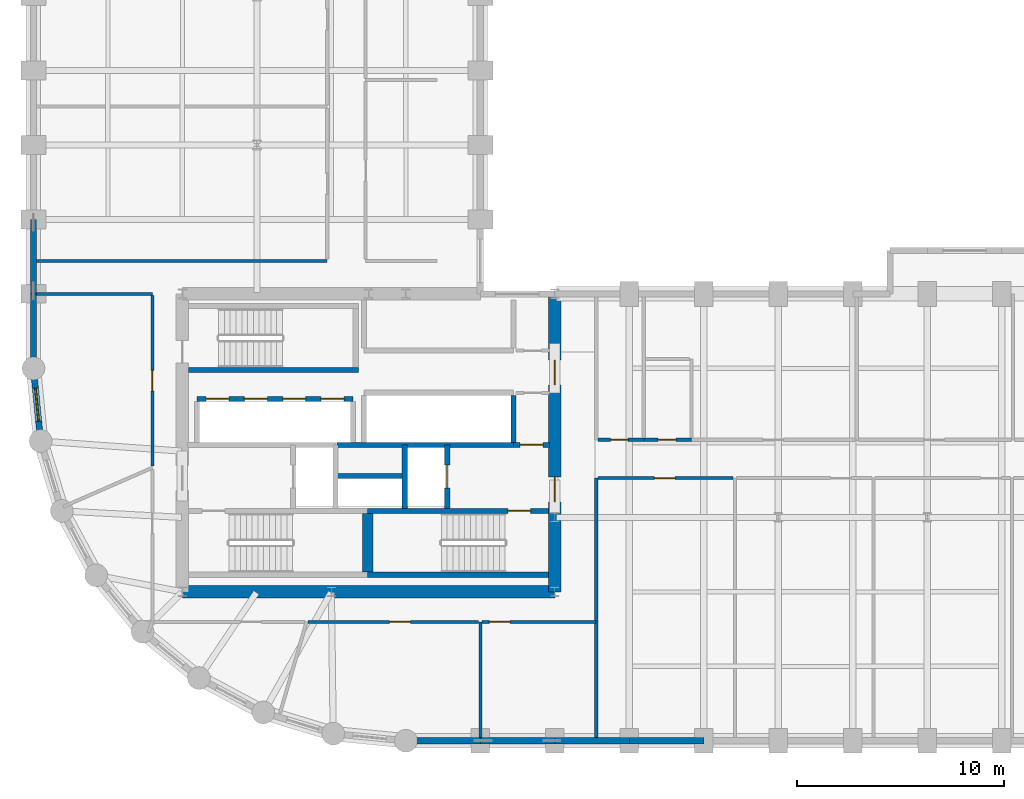
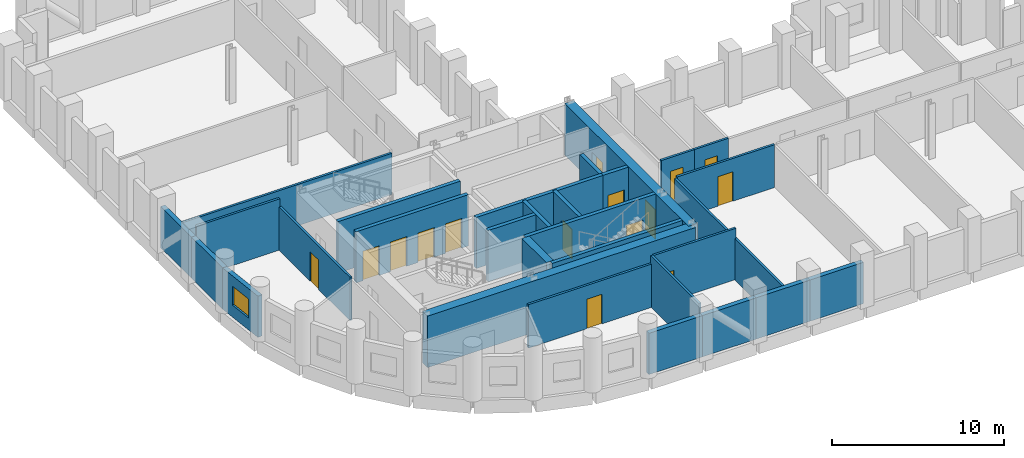
# One storey, part 4 of 8: 30 walls, 15 doors, 1 window, 16 openings.
"""IFC4 building model written with IfcOpenShell, lengths in metres."""

from ifc_helpers import new_model, si_unit, direction, frame, frame_2d, origin, place, context, subcontext, project, spatial, rectangle, extrude, material, layer, layer_set, type_object, element, fill, save


model = new_model("IFC4")

# Units and contexts
model_context = context("Model", 3, precision=1e-05, world=origin(), true_north=direction((0.0, 1.0)))
body_context = subcontext(model_context, "Body", "Model", "MODEL_VIEW")
ifc_project = project(units=[si_unit("LENGTHUNIT", "METRE"), si_unit("AREAUNIT", "SQUARE_METRE"), si_unit("VOLUMEUNIT", "CUBIC_METRE"), si_unit("PLANEANGLEUNIT", "RADIAN"), si_unit("MASSUNIT", "GRAM", prefix="KILO")], contexts=[model_context])

# Site, building, storey
site_placement = place(None, origin())
site = spatial("IfcSite", under=ifc_project, at=site_placement, CompositionType="ELEMENT")
building_placement = place(site_placement, origin())
building = spatial("IfcBuilding", under=site, at=building_placement, Name="Solnavia Interchange Tower", CompositionType="ELEMENT")
storey_placement = place(building_placement, frame((0.0, 0.0, 35.699951171875)))
storey = spatial("IfcBuildingStorey", under=building, at=storey_placement, Name="L08", CompositionType="ELEMENT", Elevation=35.699951171875)

# Walls
ifc_material_1 = material(Name="Concrete C40/50", Category="concrete")
ifc_layer_1 = layer(ifc_material_1, 0.300048828125)
ifc_layer_set_1 = layer_set([ifc_layer_1], Name="Concrete C40/50")
wall_type_1 = type_object("IfcWallType", Name="Wall-ExtSpandrel-300", PredefinedType="STANDARD", material=ifc_layer_set_1)
wall_1_placement = place(storey_placement, frame((28.800048828125, 3.60009765625, 0.0), z_axis=(0.0, 0.0, 1.0), x_axis=(-1.0, 0.0, 0.0)))
element("IfcWall", 1, at=wall_1_placement, inside=storey, type_object=wall_type_1, Name="EXW-L08-01 Exterior precast spandrel wall", PredefinedType="STANDARD", context=body_context, shape_type="SweptSolid", body=[
    extrude(rectangle(XDim=3.60009765625, YDim=0.300048828125, at=frame_2d((1.800048828125, 0.0))), origin(), (0.0, 0.0, 1.0), 2.929931640625),
])
wall_2_placement = place(storey_placement, frame((32.39990234375, 3.60009765625, 0.0), z_axis=(0.0, 0.0, 1.0), x_axis=(-1.0, 0.0, 0.0)))
element("IfcWall", 2, at=wall_2_placement, inside=storey, type_object=wall_type_1, Name="EXW-L08-02 Exterior precast spandrel wall", PredefinedType="STANDARD", context=body_context, shape_type="SweptSolid", body=[
    extrude(rectangle(XDim=3.599853515625, YDim=0.300048828125, at=frame_2d((1.7998046875, 0.0))), origin(), (0.0, 0.0, 1.0), 2.929931640625),
])
for number, where, z_axis, x_axis, name in (
    (3, (36.0, 3.60009765625, 0.0), (0.0, 0.0, 1.0), (-1.0, 0.0, 0.0), "EXW-L08-03 Exterior precast spandrel wall"),
    (4, (39.60009765625, 3.60009765625, 0.0), (0.0, 0.0, 1.0), (-1.0, 0.0, 0.0), "EXW-L08-04 Exterior precast spandrel wall"),
    (5, (7.199951171875, 25.199951171875, 0.0), (0.0, 0.0, 1.0), (0.0, 1.0, 0.0), "EXW-L08-57 Exterior precast spandrel wall"),
):
    element("IfcWall", number, at=place(storey_placement, frame(where, z_axis=z_axis, x_axis=x_axis)), inside=storey, type_object=wall_type_1, Name=name, PredefinedType="STANDARD", context=body_context, shape_type="SweptSolid", body=[
        extrude(rectangle(XDim=3.60009765625, YDim=0.300048828125, at=frame_2d((1.800048828125, 0.0))), origin(), (0.0, 0.0, 1.0), 2.929931640625),
    ])
wall_3_placement = place(storey_placement, frame((7.199951171875, 21.60009765625, 0.0), z_axis=(0.0, 0.0, 1.0), x_axis=(0.0, 1.0, 0.0)))
element("IfcWall", 6, at=wall_3_placement, inside=storey, type_object=wall_type_1, Name="EXW-L08-58 Exterior precast spandrel wall", PredefinedType="STANDARD", context=body_context, shape_type="SweptSolid", body=[
    extrude(rectangle(XDim=3.599853515625, YDim=0.300048828125, at=frame_2d((1.7998046875, 0.0))), origin(), (0.0, 0.0, 1.0), 2.929931640625),
])

# Wall, opening, window
wall_4_placement = place(storey_placement, frame((7.5458984375, 18.087890625, 0.0), z_axis=(0.0, 0.0, 1.0), x_axis=(-0.09802417461, 0.995184033831, 0.0)))
wall_4 = element("IfcWall", 7, at=wall_4_placement, inside=storey, type_object=wall_type_1, Name="EXW-L08-59 Exterior precast spandrel wall", PredefinedType="STANDARD", context=body_context, shape_type="SweptSolid", body=[
    extrude(rectangle(XDim=3.529296875, YDim=0.300048828125, at=frame_2d((1.7646484375, 0.0))), origin(), (0.0, 0.0, 1.0), 2.929931640625),
])
opening_1_placement = place(wall_4_placement, frame((0.965087890625, 0.0, 0.85009765625)))
opening_1 = element("IfcOpeningElement", 8, at=opening_1_placement, cuts=wall_4, Name="Opening WIN-04", PredefinedType="OPENING", context=body_context, shape_type="SweptSolid", body=[
    extrude(rectangle(XDim=1.60009765625, YDim=1.35009765625, at=frame_2d((0.800048828125, 0.675048828125))), frame((0.0, 0.16015625, 0.0), z_axis=(0.0, -1.0, 0.0), x_axis=(1.0, 0.0, 0.0)), (0.0, 0.0, 1.0), 0.320068359375),
])
ifc_material_2 = material(Name="Thermal-Break Aluminium & Low-E Glass", Category="aluminium")
window_type = type_object("IfcWindowType", Name="Window-Drum-1600x1350", PartitioningType="SINGLE_PANEL", PredefinedType="WINDOW", material=ifc_material_2)
window_placement = place(opening_1_placement, origin())
window = element("IfcWindow", 9, at=window_placement, inside=storey, type_object=window_type, Name="WIN-L08-59 Facade ribbon window", OverallHeight=1.35009765625, OverallWidth=1.60009765625, PartitioningType="SINGLE_PANEL", PredefinedType="WINDOW", context=body_context, shape_type="SweptSolid", body=[
    extrude(rectangle(XDim=1.60009765625, YDim=1.35009765625, at=frame_2d((0.800048828125, 0.675048828125))), frame((0.0, 0.030029296875, 0.0), z_axis=(0.0, -1.0, 0.0), x_axis=(1.0, 0.0, 0.0)), (0.0, 0.0, 1.0), 0.06005859375),
])
fill(opening_1, window)

# Walls
ifc_material_3 = material(Name="Gypsum Plasterboard & Steel Stud", Category="steel")
ifc_layer_2 = layer(ifc_material_3, 0.14990234375)
ifc_layer_set_2 = layer_set([ifc_layer_2], Name="Gypsum Plasterboard & Steel Stud")
wall_type_2 = type_object("IfcWallType", Name="Wall-Partition-150", PredefinedType="PARTITIONING", material=ifc_layer_set_2)
wall_5_placement = place(storey_placement, frame((7.35400390625, 25.199951171875, 0.0), z_axis=(0.0, 0.0, 1.0), x_axis=(1.0, 0.0, 0.0)))
element("IfcWall", 10, at=wall_5_placement, inside=storey, type_object=wall_type_2, Name="PTW-L08-07 Interior partition wall", PredefinedType="PARTITIONING", context=body_context, shape_type="SweptSolid", body=[
    extrude(rectangle(XDim=5.595947265625, YDim=0.14990234375, at=frame_2d((2.7978515625, 0.0))), origin(), (0.0, 0.0, 1.0), 3.635009765625),
])
wall_6_placement = place(storey_placement, frame((28.800048828125, 9.35009765625, 0.0), z_axis=(0.0, 0.0, 1.0), x_axis=(0.0, -1.0, 0.0)))
element("IfcWall", 11, at=wall_6_placement, inside=storey, type_object=wall_type_2, Name="PTW-L08-08 Interior partition wall", PredefinedType="PARTITIONING", context=body_context, shape_type="SweptSolid", body=[
    extrude(rectangle(XDim=5.59619140625, YDim=0.14990234375, at=frame_2d((2.798095703125, 0.0))), origin(), (0.0, 0.0, 1.0), 3.635009765625),
])

# Wall, opening, door
wall_7_placement = place(storey_placement, frame((12.949951171875, 16.87890625, 0.0), z_axis=(0.0, 0.0, 1.0), x_axis=(0.0, 1.0, 0.0)))
wall_7 = element("IfcWall", 12, at=wall_7_placement, inside=storey, type_object=wall_type_2, Name="PTW-L08-12 Interior partition wall", PredefinedType="PARTITIONING", context=body_context, shape_type="SweptSolid", body=[
    extrude(rectangle(XDim=8.2421875, YDim=0.14990234375, at=frame_2d((4.12109375, 0.0))), origin(), (0.0, 0.0, 1.0), 3.080078125),
])
opening_2_placement = place(wall_7_placement, frame((3.62109375, 0.0, 0.0)))
opening_2 = element("IfcOpeningElement", 13, at=opening_2_placement, cuts=wall_7, Name="Opening DR-07", PredefinedType="OPENING", context=body_context, shape_type="SweptSolid", body=[
    extrude(rectangle(XDim=1.0, YDim=2.10009765625, at=frame_2d((0.5, 1.050048828125))), frame((0.0, 0.0849609375, 0.0), z_axis=(0.0, -1.0, 0.0), x_axis=(1.0, 0.0, 0.0)), (0.0, 0.0, 1.0), 0.169921875),
])
ifc_material_4 = material(Name="Timber & Acoustic Glazed Office Door", Category="wood")
door_type_1 = type_object("IfcDoorType", Name="Door-Office-1000x2100", OperationType="SINGLE_SWING_RIGHT", PredefinedType="DOOR", material=ifc_material_4)
door_1_placement = place(opening_2_placement, origin())
door_1 = element("IfcDoor", 14, at=door_1_placement, inside=storey, type_object=door_type_1, Name="DR-L08-03 Interior room door", OperationType="SINGLE_SWING_LEFT", OverallHeight=2.10009765625, OverallWidth=1.0, PredefinedType="DOOR", context=body_context, shape_type="SweptSolid", body=[
    extrude(rectangle(XDim=1.0, YDim=2.10009765625, at=frame_2d((0.5, 1.050048828125))), frame((0.0, 0.02490234375, 0.0), z_axis=(0.0, -1.0, 0.0), x_axis=(1.0, 0.0, 0.0)), (0.0, 0.0, 1.0), 0.050048828125),
])
fill(opening_2, door_1)

wall_8_placement = place(storey_placement, frame((20.47900390625, 9.35009765625, 0.0), z_axis=(0.0, 0.0, 1.0), x_axis=(1.0, 0.0, 0.0)))
wall_8 = element("IfcWall", 15, at=wall_8_placement, inside=storey, type_object=wall_type_2, Name="PTW-L08-15 Interior partition wall", PredefinedType="PARTITIONING", context=body_context, shape_type="SweptSolid", body=[
    extrude(rectangle(XDim=8.241943359375, YDim=0.14990234375, at=frame_2d((4.12109375, 0.0))), origin(), (0.0, 0.0, 1.0), 3.080078125),
])
opening_3_placement = place(wall_8_placement, frame((3.93896484375, 0.0, 0.0)))
opening_3 = element("IfcOpeningElement", 16, at=opening_3_placement, cuts=wall_8, Name="Opening DR-07", PredefinedType="OPENING", context=body_context, shape_type="SweptSolid", body=[
    extrude(rectangle(XDim=1.0, YDim=2.10009765625, at=frame_2d((0.5, 1.050048828125))), frame((0.0, 0.0849609375, 0.0), z_axis=(0.0, -1.0, 0.0), x_axis=(1.0, 0.0, 0.0)), (0.0, 0.0, 1.0), 0.169921875),
])
door_2_placement = place(opening_3_placement, origin())
door_2 = element("IfcDoor", 17, at=door_2_placement, inside=storey, type_object=door_type_1, Name="DR-L08-06 Interior room door", OperationType="SINGLE_SWING_RIGHT", OverallHeight=2.10009765625, OverallWidth=1.0, PredefinedType="DOOR", context=body_context, shape_type="SweptSolid", body=[
    extrude(rectangle(XDim=1.0, YDim=2.10009765625, at=frame_2d((0.5, 1.050048828125))), frame((0.0, 0.02490234375, 0.0), z_axis=(0.0, -1.0, 0.0), x_axis=(1.0, 0.0, 0.0)), (0.0, 0.0, 1.0), 0.050048828125),
])
fill(opening_3, door_2)

wall_9_placement = place(storey_placement, frame((28.87890625, 9.35009765625, 0.0), z_axis=(0.0, 0.0, 1.0), x_axis=(1.0, 0.0, 0.0)))
wall_9 = element("IfcWall", 18, at=wall_9_placement, inside=storey, type_object=wall_type_2, Name="PTW-L08-16 Interior partition wall", PredefinedType="PARTITIONING", context=body_context, shape_type="SweptSolid", body=[
    extrude(rectangle(XDim=5.52099609375, YDim=0.14990234375, at=frame_2d((2.760498046875, 0.0))), origin(), (0.0, 0.0, 1.0), 3.635009765625),
])
opening_4_placement = place(wall_9_placement, frame((0.360107421875, 0.0, 0.0)))
opening_4 = element("IfcOpeningElement", 19, at=opening_4_placement, cuts=wall_9, Name="Opening DR-07", PredefinedType="OPENING", context=body_context, shape_type="SweptSolid", body=[
    extrude(rectangle(XDim=1.0, YDim=2.10009765625, at=frame_2d((0.5, 1.050048828125))), frame((0.0, 0.0849609375, 0.0), z_axis=(0.0, -1.0, 0.0), x_axis=(1.0, 0.0, 0.0)), (0.0, 0.0, 1.0), 0.169921875),
])
door_3_placement = place(opening_4_placement, origin())
door_3 = element("IfcDoor", 20, at=door_3_placement, inside=storey, type_object=door_type_1, Name="DR-L08-07 Interior room door", OperationType="SINGLE_SWING_LEFT", OverallHeight=2.10009765625, OverallWidth=1.0, PredefinedType="DOOR", context=body_context, shape_type="SweptSolid", body=[
    extrude(rectangle(XDim=1.0, YDim=2.10009765625, at=frame_2d((0.5, 1.050048828125))), frame((0.0, 0.02490234375, 0.0), z_axis=(0.0, -1.0, 0.0), x_axis=(1.0, 0.0, 0.0)), (0.0, 0.0, 1.0), 0.050048828125),
])
fill(opening_4, door_3)

# Wall
wall_10_placement = place(storey_placement, frame((34.39990234375, 3.75390625, 0.0), z_axis=(0.0, 0.0, 1.0), x_axis=(0.0, 1.0, 0.0)))
element("IfcWall", 21, at=wall_10_placement, inside=storey, type_object=wall_type_2, Name="PTW-L08-17 Interior partition wall", PredefinedType="PARTITIONING", context=body_context, shape_type="SweptSolid", body=[
    extrude(rectangle(XDim=12.546142578125, YDim=0.14990234375, at=frame_2d((6.27294921875, 0.0))), origin(), (0.0, 0.0, 1.0), 2.929931640625),
])

# Wall, opening, door
wall_11_placement = place(storey_placement, frame((34.47900390625, 16.300048828125, 0.0), z_axis=(0.0, 0.0, 1.0), x_axis=(1.0, 0.0, 0.0)))
wall_11 = element("IfcWall", 22, at=wall_11_placement, inside=storey, type_object=wall_type_2, Name="PTW-L08-19 Interior partition wall", PredefinedType="PARTITIONING", context=body_context, shape_type="SweptSolid", body=[
    extrude(rectangle(XDim=6.5419921875, YDim=0.14990234375, at=frame_2d((3.27099609375, 0.0))), origin(), (0.0, 0.0, 1.0), 3.0400390625),
])
opening_5_placement = place(wall_11_placement, frame((2.73095703125, 0.0, 0.0)))
opening_5 = element("IfcOpeningElement", 23, at=opening_5_placement, cuts=wall_11, Name="Opening DR-07", PredefinedType="OPENING", context=body_context, shape_type="SweptSolid", body=[
    extrude(rectangle(XDim=1.0, YDim=2.10009765625, at=frame_2d((0.5, 1.050048828125))), frame((0.0, 0.0849609375, 0.0), z_axis=(0.0, -1.0, 0.0), x_axis=(1.0, 0.0, 0.0)), (0.0, 0.0, 1.0), 0.169921875),
])
door_4_placement = place(opening_5_placement, origin())
door_4 = element("IfcDoor", 24, at=door_4_placement, inside=storey, type_object=door_type_1, Name="DR-L08-08 Interior room door", OperationType="SINGLE_SWING_LEFT", OverallHeight=2.10009765625, OverallWidth=1.0, PredefinedType="DOOR", context=body_context, shape_type="SweptSolid", body=[
    extrude(rectangle(XDim=1.0, YDim=2.10009765625, at=frame_2d((0.5, 1.050048828125))), frame((0.0, 0.02490234375, 0.0), z_axis=(0.0, -1.0, 0.0), x_axis=(1.0, 0.0, 0.0)), (0.0, 0.0, 1.0), 0.050048828125),
])
fill(opening_5, door_4)

# Walls
wall_12_placement = place(storey_placement, frame((7.35400390625, 26.800048828125, 0.0), z_axis=(0.0, 0.0, 1.0), x_axis=(1.0, 0.0, 0.0)))
element("IfcWall", 25, at=wall_12_placement, inside=storey, type_object=wall_type_2, Name="PTW-L08-30 Interior partition wall", PredefinedType="PARTITIONING", context=body_context, shape_type="SweptSolid", body=[
    extrude(rectangle(XDim=14.0458984375, YDim=0.14990234375, at=frame_2d((7.02294921875, 0.0))), origin(), (0.0, 0.0, 1.0), 2.929931640625),
])
ifc_layer_3 = layer(ifc_material_1, 0.25)
ifc_layer_set_3 = layer_set([ifc_layer_3], Name="Concrete C40/50")
wall_type_3 = type_object("IfcWallType", Name="Wall-ShaftCore-250", PredefinedType="SHEAR", material=ifc_layer_set_3)
wall_13_placement = place(storey_placement, frame((23.35009765625, 11.625, 0.0), z_axis=(0.0, 0.0, 1.0), x_axis=(1.0, 0.0, 0.0)))
element("IfcWall", 26, at=wall_13_placement, inside=storey, type_object=wall_type_3, Name="SHW-L08-ST2S Core shear wall", PredefinedType="SHEAR", context=body_context, shape_type="SweptSolid", body=[
    extrude(rectangle(XDim=8.75, YDim=0.25, at=frame_2d((4.375, 0.0))), origin(), (0.0, 0.0, 1.0), 3.650146484375),
])

# Wall, opening, door
wall_14_placement = place(storey_placement, frame((23.35009765625, 14.715087890625, 0.0), z_axis=(0.0, 0.0, 1.0), x_axis=(1.0, 0.0, 0.0)))
wall_14 = element("IfcWall", 27, at=wall_14_placement, inside=storey, type_object=wall_type_3, Name="SHW-L08-ST2N Core shear wall", PredefinedType="SHEAR", context=body_context, shape_type="SweptSolid", body=[
    extrude(rectangle(XDim=8.75, YDim=0.25, at=frame_2d((4.375, 0.0))), origin(), (0.0, 0.0, 1.0), 3.650146484375),
])
opening_6_placement = place(wall_14_placement, frame((6.77490234375, 0.0, 0.0)))
opening_6 = element("IfcOpeningElement", 28, at=opening_6_placement, cuts=wall_14, Name="Opening DR-01", PredefinedType="OPENING", context=body_context, shape_type="SweptSolid", body=[
    extrude(rectangle(XDim=1.10009765625, YDim=2.10009765625, at=frame_2d((0.550048828125, 1.050048828125))), frame((0.0, 0.135009765625, 0.0), z_axis=(0.0, -1.0, 0.0), x_axis=(1.0, 0.0, 0.0)), (0.0, 0.0, 1.0), 0.27001953125),
])
ifc_material_5 = material(Name="Steel Fire-Rated Leaf & Frame", Category="steel")
door_type_2 = type_object("IfcDoorType", Name="Door-StairFire-1100x2100", OperationType="SINGLE_SWING_LEFT", PredefinedType="DOOR", material=ifc_material_5)
door_5_placement = place(opening_6_placement, origin())
door_5 = element("IfcDoor", 29, at=door_5_placement, inside=storey, type_object=door_type_2, Name="DR-L08-ST2 Core fire door", OperationType="SINGLE_SWING_LEFT", OverallHeight=2.10009765625, OverallWidth=1.10009765625, PredefinedType="DOOR", context=body_context, shape_type="SweptSolid", body=[
    extrude(rectangle(XDim=1.10009765625, YDim=2.10009765625, at=frame_2d((0.550048828125, 1.050048828125))), frame((0.0, 0.02490234375, 0.0), z_axis=(0.0, -1.0, 0.0), x_axis=(1.0, 0.0, 0.0)), (0.0, 0.0, 1.0), 0.050048828125),
])
fill(opening_6, door_5)

# Walls
wall_15_placement = place(storey_placement, frame((14.699951171875, 21.52490234375, 0.0), z_axis=(0.0, 0.0, 1.0), x_axis=(1.0, 0.0, 0.0)))
element("IfcWall", 30, at=wall_15_placement, inside=storey, type_object=wall_type_3, Name="SHW-L08-ST3S Core shear wall", PredefinedType="SHEAR", context=body_context, shape_type="SweptSolid", body=[
    extrude(rectangle(XDim=8.199951171875, YDim=0.25, at=frame_2d((4.10009765625, 0.0))), origin(), (0.0, 0.0, 1.0), 3.650146484375),
])
ifc_layer_4 = layer(ifc_material_1, 0.25)
ifc_layer_set_4 = layer_set([ifc_layer_4], Name="Concrete C40/50")
wall_type_4 = type_object("IfcWallType", Name="Wall-ShaftPart-250", PredefinedType="PARTITIONING", material=ifc_layer_set_4)
wall_16_placement = place(storey_placement, frame((21.8798828125, 17.89990234375, 0.0), z_axis=(0.0, 0.0, 1.0), x_axis=(1.0, 0.0, 0.0)))
element("IfcWall", 31, at=wall_16_placement, inside=storey, type_object=wall_type_4, Name="SHW-L08-FFLE-N1 Core shaft wall", PredefinedType="PARTITIONING", context=body_context, shape_type="SweptSolid", body=[
    extrude(rectangle(XDim=8.52001953125, YDim=0.25, at=frame_2d((4.260009765625, 0.0))), origin(), (0.0, 0.0, 1.0), 3.635009765625),
])

# Wall, opening, door
wall_17_placement = place(storey_placement, frame((30.39990234375, 17.89990234375, 0.0), z_axis=(0.0, 0.0, 1.0), x_axis=(1.0, 0.0, 0.0)))
wall_17 = element("IfcWall", 32, at=wall_17_placement, inside=storey, type_object=wall_type_4, Name="SHW-L08-FFLE-N2 Core shaft wall", PredefinedType="PARTITIONING", context=body_context, shape_type="SweptSolid", body=[
    extrude(rectangle(XDim=1.75, YDim=0.25, at=frame_2d((0.875, 0.0))), origin(), (0.0, 0.0, 1.0), 3.635009765625),
])
opening_7_placement = place(wall_17_placement, frame((0.320068359375, 0.0, 0.0)))
opening_7 = element("IfcOpeningElement", 33, at=opening_7_placement, cuts=wall_17, Name="Opening DR-01", PredefinedType="OPENING", context=body_context, shape_type="SweptSolid", body=[
    extrude(rectangle(XDim=1.10009765625, YDim=2.10009765625, at=frame_2d((0.550048828125, 1.050048828125))), frame((0.0, 0.135009765625, 0.0), z_axis=(0.0, -1.0, 0.0), x_axis=(1.0, 0.0, 0.0)), (0.0, 0.0, 1.0), 0.27001953125),
])
door_6_placement = place(opening_7_placement, origin())
door_6 = element("IfcDoor", 34, at=door_6_placement, inside=storey, type_object=door_type_2, Name="DR-L08-LLC Core fire door", OperationType="SINGLE_SWING_LEFT", OverallHeight=2.10009765625, OverallWidth=1.10009765625, PredefinedType="DOOR", context=body_context, shape_type="SweptSolid", body=[
    extrude(rectangle(XDim=1.10009765625, YDim=2.10009765625, at=frame_2d((0.550048828125, 1.050048828125))), frame((0.0, 0.02490234375, 0.0), z_axis=(0.0, -1.0, 0.0), x_axis=(1.0, 0.0, 0.0)), (0.0, 0.0, 1.0), 0.050048828125),
])
fill(opening_7, door_6)

# Wall
wall_18_placement = place(storey_placement, frame((25.14990234375, 14.840087890625, 0.0), z_axis=(0.0, 0.0, 1.0), x_axis=(0.0, 1.0, 0.0)))
element("IfcWall", 35, at=wall_18_placement, inside=storey, type_object=wall_type_4, Name="SHW-L08-FFL2-W Core shaft wall", PredefinedType="PARTITIONING", context=body_context, shape_type="SweptSolid", body=[
    extrude(rectangle(XDim=3.059814453125, YDim=0.25, at=frame_2d((1.52978515625, 0.0))), origin(), (0.0, 0.0, 1.0), 3.635009765625),
])

# Wall, opening, door
wall_19_placement = place(storey_placement, frame((27.199951171875, 14.840087890625, 0.0), z_axis=(0.0, 0.0, 1.0), x_axis=(0.0, 1.0, 0.0)))
wall_19 = element("IfcWall", 36, at=wall_19_placement, inside=storey, type_object=wall_type_4, Name="SHW-L08-FFL2-E Core shaft wall", PredefinedType="PARTITIONING", context=body_context, shape_type="SweptSolid", body=[
    extrude(rectangle(XDim=3.059814453125, YDim=0.25, at=frame_2d((1.52978515625, 0.0))), origin(), (0.0, 0.0, 1.0), 3.635009765625),
])
opening_8_placement = place(wall_19_placement, frame((0.97998046875, 0.0, 0.0)))
opening_8 = element("IfcOpeningElement", 37, at=opening_8_placement, cuts=wall_19, Name="Opening LD-01", PredefinedType="OPENING", context=body_context, shape_type="SweptSolid", body=[
    extrude(rectangle(XDim=1.10009765625, YDim=2.10009765625, at=frame_2d((0.550048828125, 1.050048828125))), frame((0.0, 0.135009765625, 0.0), z_axis=(0.0, -1.0, 0.0), x_axis=(1.0, 0.0, 0.0)), (0.0, 0.0, 1.0), 0.27001953125),
])
ifc_material_6 = material(Name="Brushed Stainless Steel Sliding Door", Category="steel")
door_type_3 = type_object("IfcDoorType", Name="Door-LiftLanding-1100x2100", OperationType="SLIDING_TO_LEFT", PredefinedType="DOOR", material=ifc_material_6)
door_7_placement = place(opening_8_placement, origin())
door_7 = element("IfcDoor", 38, at=door_7_placement, inside=storey, type_object=door_type_3, Name="LD-L08-FFL2 Lift landing sliding door", OperationType="SLIDING_TO_LEFT", OverallHeight=2.10009765625, OverallWidth=1.10009765625, PredefinedType="DOOR", context=body_context, shape_type="SweptSolid", body=[
    extrude(rectangle(XDim=1.10009765625, YDim=2.10009765625, at=frame_2d((0.550048828125, 1.050048828125))), frame((0.0, 0.02490234375, 0.0), z_axis=(0.0, -1.0, 0.0), x_axis=(1.0, 0.0, 0.0)), (0.0, 0.0, 1.0), 0.050048828125),
])
fill(opening_8, door_7)

# Wall
wall_20_placement = place(storey_placement, frame((21.800048828125, 16.39990234375, 0.0), z_axis=(0.0, 0.0, 1.0), x_axis=(1.0, 0.0, 0.0)))
element("IfcWall", 39, at=wall_20_placement, inside=storey, type_object=wall_type_4, Name="SHW-L08-MEP-N Core shaft wall", PredefinedType="PARTITIONING", context=body_context, shape_type="SweptSolid", body=[
    extrude(rectangle(XDim=3.349853515625, YDim=0.25, at=frame_2d((1.6748046875, 0.0))), origin(), (0.0, 0.0, 1.0), 3.635009765625),
])

# Wall, openings, doors
wall_21_placement = place(storey_placement, frame((15.10009765625, 20.125, 0.0), z_axis=(0.0, 0.0, 1.0), x_axis=(1.0, 0.0, 0.0)))
wall_21 = element("IfcWall", 40, at=wall_21_placement, inside=storey, type_object=wall_type_4, Name="SHW-L08-B1N Core shaft wall", PredefinedType="PARTITIONING", context=body_context, shape_type="SweptSolid", body=[
    extrude(rectangle(XDim=7.5498046875, YDim=0.25, at=frame_2d((3.77490234375, 0.0))), origin(), (0.0, 0.0, 1.0), 3.635009765625),
])
opening_9_placement = place(wall_21_placement, frame((0.449951171875, 0.0, 0.0)))
opening_9 = element("IfcOpeningElement", 41, at=opening_9_placement, cuts=wall_21, Name="Opening LD-01", PredefinedType="OPENING", context=body_context, shape_type="SweptSolid", body=[
    extrude(rectangle(XDim=1.10009765625, YDim=2.10009765625, at=frame_2d((0.550048828125, 1.050048828125))), frame((0.0, 0.135009765625, 0.0), z_axis=(0.0, -1.0, 0.0), x_axis=(1.0, 0.0, 0.0)), (0.0, 0.0, 1.0), 0.27001953125),
])
opening_10_placement = place(wall_21_placement, frame((2.300048828125, 0.0, 0.0)))
opening_10 = element("IfcOpeningElement", 42, at=opening_10_placement, cuts=wall_21, Name="Opening LD-01", PredefinedType="OPENING", context=body_context, shape_type="SweptSolid", body=[
    extrude(rectangle(XDim=1.10009765625, YDim=2.10009765625, at=frame_2d((0.550048828125, 1.050048828125))), frame((0.0, 0.135009765625, 0.0), z_axis=(0.0, -1.0, 0.0), x_axis=(1.0, 0.0, 0.0)), (0.0, 0.0, 1.0), 0.27001953125),
])
opening_11_placement = place(wall_21_placement, frame((4.14990234375, 0.0, 0.0)))
opening_11 = element("IfcOpeningElement", 43, at=opening_11_placement, cuts=wall_21, Name="Opening LD-01", PredefinedType="OPENING", context=body_context, shape_type="SweptSolid", body=[
    extrude(rectangle(XDim=1.10009765625, YDim=2.10009765625, at=frame_2d((0.550048828125, 1.050048828125))), frame((0.0, 0.135009765625, 0.0), z_axis=(0.0, -1.0, 0.0), x_axis=(1.0, 0.0, 0.0)), (0.0, 0.0, 1.0), 0.27001953125),
])
opening_12_placement = place(wall_21_placement, frame((6.0, 0.0, 0.0)))
opening_12 = element("IfcOpeningElement", 44, at=opening_12_placement, cuts=wall_21, Name="Opening LD-01", PredefinedType="OPENING", context=body_context, shape_type="SweptSolid", body=[
    extrude(rectangle(XDim=1.10009765625, YDim=2.10009765625, at=frame_2d((0.550048828125, 1.050048828125))), frame((0.0, 0.135009765625, 0.0), z_axis=(0.0, -1.0, 0.0), x_axis=(1.0, 0.0, 0.0)), (0.0, 0.0, 1.0), 0.27001953125),
])
door_8_placement = place(opening_9_placement, origin())
door_8 = element("IfcDoor", 45, at=door_8_placement, inside=storey, type_object=door_type_3, Name="LD-L08-B1-1 Lift landing sliding door", OperationType="SLIDING_TO_LEFT", OverallHeight=2.10009765625, OverallWidth=1.10009765625, PredefinedType="DOOR", context=body_context, shape_type="SweptSolid", body=[
    extrude(rectangle(XDim=1.10009765625, YDim=2.10009765625, at=frame_2d((0.550048828125, 1.050048828125))), frame((0.0, 0.02490234375, 0.0), z_axis=(0.0, -1.0, 0.0), x_axis=(1.0, 0.0, 0.0)), (0.0, 0.0, 1.0), 0.050048828125),
])
fill(opening_9, door_8)
door_9_placement = place(opening_10_placement, origin())
door_9 = element("IfcDoor", 46, at=door_9_placement, inside=storey, type_object=door_type_3, Name="LD-L08-B1-2 Lift landing sliding door", OperationType="SLIDING_TO_LEFT", OverallHeight=2.10009765625, OverallWidth=1.10009765625, PredefinedType="DOOR", context=body_context, shape_type="SweptSolid", body=[
    extrude(rectangle(XDim=1.10009765625, YDim=2.10009765625, at=frame_2d((0.550048828125, 1.050048828125))), frame((0.0, 0.02490234375, 0.0), z_axis=(0.0, -1.0, 0.0), x_axis=(1.0, 0.0, 0.0)), (0.0, 0.0, 1.0), 0.050048828125),
])
fill(opening_10, door_9)
door_10_placement = place(opening_11_placement, origin())
door_10 = element("IfcDoor", 47, at=door_10_placement, inside=storey, type_object=door_type_3, Name="LD-L08-B1-3 Lift landing sliding door", OperationType="SLIDING_TO_LEFT", OverallHeight=2.10009765625, OverallWidth=1.10009765625, PredefinedType="DOOR", context=body_context, shape_type="SweptSolid", body=[
    extrude(rectangle(XDim=1.10009765625, YDim=2.10009765625, at=frame_2d((0.550048828125, 1.050048828125))), frame((0.0, 0.02490234375, 0.0), z_axis=(0.0, -1.0, 0.0), x_axis=(1.0, 0.0, 0.0)), (0.0, 0.0, 1.0), 0.050048828125),
])
fill(opening_11, door_10)
door_11_placement = place(opening_12_placement, origin())
door_11 = element("IfcDoor", 48, at=door_11_placement, inside=storey, type_object=door_type_3, Name="LD-L08-B1-4 Lift landing sliding door", OperationType="SLIDING_TO_LEFT", OverallHeight=2.10009765625, OverallWidth=1.10009765625, PredefinedType="DOOR", context=body_context, shape_type="SweptSolid", body=[
    extrude(rectangle(XDim=1.10009765625, YDim=2.10009765625, at=frame_2d((0.550048828125, 1.050048828125))), frame((0.0, 0.02490234375, 0.0), z_axis=(0.0, -1.0, 0.0), x_axis=(1.0, 0.0, 0.0)), (0.0, 0.0, 1.0), 0.050048828125),
])
fill(opening_12, door_11)

# Walls
wall_22_placement = place(storey_placement, frame((30.39990234375, 18.02490234375, 0.0), z_axis=(0.0, 0.0, 1.0), x_axis=(0.0, 1.0, 0.0)))
element("IfcWall", 49, at=wall_22_placement, inside=storey, type_object=wall_type_4, Name="SHW-L08-B2E Core shaft wall", PredefinedType="PARTITIONING", context=body_context, shape_type="SweptSolid", body=[
    extrude(rectangle(XDim=2.27001953125, YDim=0.25, at=frame_2d((1.135009765625, 0.0))), origin(), (0.0, 0.0, 1.0), 3.635009765625),
])
ifc_material_7 = material(Name="Concrete C60/75", Category="concrete")
ifc_layer_5 = layer(ifc_material_7, 0.5)
ifc_layer_set_5 = layer_set([ifc_layer_5], Name="Concrete C60/75")
wall_type_5 = type_object("IfcWallType", Name="Wall-ShearCore-500", PredefinedType="SHEAR", material=ifc_layer_set_5)
wall_23_placement = place(storey_placement, frame((23.35009765625, 11.75, 0.0), z_axis=(0.0, 0.0, 1.0), x_axis=(0.0, 1.0, 0.0)))
element("IfcWall", 50, at=wall_23_placement, inside=storey, type_object=wall_type_5, Name="SHW-L08-ST12M Core shear wall", PredefinedType="SHEAR", context=body_context, shape_type="SweptSolid", body=[
    extrude(rectangle(XDim=2.840087890625, YDim=0.5, at=frame_2d((1.419921875, 0.0))), origin(), (0.0, 0.0, 1.0), 3.650146484375),
])
ifc_layer_6 = layer(ifc_material_7, 0.60009765625)
ifc_layer_set_6 = layer_set([ifc_layer_6], Name="Concrete C60/75")
wall_type_6 = type_object("IfcWallType", Name="Wall-ShearCore-600", PredefinedType="SHEAR", material=ifc_layer_set_6)
wall_24_placement = place(storey_placement, frame((14.39990234375, 10.800048828125, 0.0), z_axis=(0.0, 0.0, 1.0), x_axis=(1.0, 0.0, 0.0)))
element("IfcWall", 51, at=wall_24_placement, inside=storey, type_object=wall_type_6, Name="CRW-L08-S Core shear wall", PredefinedType="SHEAR", context=body_context, shape_type="SweptSolid", body=[
    extrude(rectangle(XDim=18.0, YDim=0.60009765625, at=frame_2d((9.0, 0.0))), origin(), (0.0, 0.0, 1.0), 3.650146484375),
])

# Wall, openings, doors
wall_25_placement = place(storey_placement, frame((32.39990234375, 10.800048828125, 0.0), z_axis=(0.0, 0.0, 1.0), x_axis=(0.0, 1.0, 0.0)))
wall_25 = element("IfcWall", 52, at=wall_25_placement, inside=storey, type_object=wall_type_6, Name="CRW-L08-E Core shear wall", PredefinedType="SHEAR", context=body_context, shape_type="SweptSolid", body=[
    extrude(rectangle(XDim=14.39990234375, YDim=0.60009765625, at=frame_2d((7.199951171875, 0.0))), origin(), (0.0, 0.0, 1.0), 3.650146484375),
])
opening_13_placement = place(wall_25_placement, frame((4.35009765625, 0.0, 0.0)))
opening_13 = element("IfcOpeningElement", 53, at=opening_13_placement, cuts=wall_25, Name="Opening DR-02", PredefinedType="OPENING", context=body_context, shape_type="SweptSolid", body=[
    extrude(rectangle(XDim=1.199951171875, YDim=2.10009765625, at=frame_2d((0.60009765625, 1.050048828125))), frame((0.0, 0.31005859375, 0.0), z_axis=(0.0, -1.0, 0.0), x_axis=(1.0, 0.0, 0.0)), (0.0, 0.0, 1.0), 0.6201171875),
])
opening_14_placement = place(wall_25_placement, frame((10.0, 0.0, 0.0)))
opening_14 = element("IfcOpeningElement", 54, at=opening_14_placement, cuts=wall_25, Name="Opening DR-02", PredefinedType="OPENING", context=body_context, shape_type="SweptSolid", body=[
    extrude(rectangle(XDim=1.199951171875, YDim=2.10009765625, at=frame_2d((0.60009765625, 1.050048828125))), frame((0.0, 0.31005859375, 0.0), z_axis=(0.0, -1.0, 0.0), x_axis=(1.0, 0.0, 0.0)), (0.0, 0.0, 1.0), 0.6201171875),
])
ifc_material_8 = material(Name="Steel Fire-Rated Vision-Panel Door", Category="steel")
door_type_4 = type_object("IfcDoorType", Name="Door-LobbyFire-1200x2100", OperationType="SINGLE_SWING_RIGHT", PredefinedType="DOOR", material=ifc_material_8)
door_12_placement = place(opening_13_placement, origin())
door_12 = element("IfcDoor", 55, at=door_12_placement, inside=storey, type_object=door_type_4, Name="DR-L08-FFL2E Core fire door", OperationType="SINGLE_SWING_LEFT", OverallHeight=2.10009765625, OverallWidth=1.199951171875, PredefinedType="DOOR", context=body_context, shape_type="SweptSolid", body=[
    extrude(rectangle(XDim=1.199951171875, YDim=2.10009765625, at=frame_2d((0.60009765625, 1.050048828125))), frame((0.0, 0.02490234375, 0.0), z_axis=(0.0, -1.0, 0.0), x_axis=(1.0, 0.0, 0.0)), (0.0, 0.0, 1.0), 0.050048828125),
])
fill(opening_13, door_12)
door_13_placement = place(opening_14_placement, origin())
door_13 = element("IfcDoor", 56, at=door_13_placement, inside=storey, type_object=door_type_4, Name="DR-L08-LLE Core fire door", OperationType="SINGLE_SWING_RIGHT", OverallHeight=2.10009765625, OverallWidth=1.199951171875, PredefinedType="DOOR", context=body_context, shape_type="SweptSolid", body=[
    extrude(rectangle(XDim=1.199951171875, YDim=2.10009765625, at=frame_2d((0.60009765625, 1.050048828125))), frame((0.0, 0.02490234375, 0.0), z_axis=(0.0, -1.0, 0.0), x_axis=(1.0, 0.0, 0.0)), (0.0, 0.0, 1.0), 0.050048828125),
])
fill(opening_14, door_13)

# Wall, opening, door
ifc_material_9 = material(Name="Moisture-Resistant Gypsum & Steel Stud", Category="steel")
ifc_layer_7 = layer(ifc_material_9, 0.14990234375)
ifc_layer_set_7 = layer_set([ifc_layer_7], Name="Moisture-Resistant Gypsum & Steel Stud")
wall_type_7 = type_object("IfcWallType", Name="Wall-WetRoom-150", PredefinedType="PARTITIONING", material=ifc_layer_set_7)
wall_26_placement = place(storey_placement, frame((34.47900390625, 18.14990234375, 0.0), z_axis=(0.0, 0.0, 1.0), x_axis=(1.0, 0.0, 0.0)))
wall_26 = element("IfcWall", 57, at=wall_26_placement, inside=storey, type_object=wall_type_7, Name="PTW-L08-02 Interior partition wall", PredefinedType="PARTITIONING", context=body_context, shape_type="SweptSolid", body=[
    extrude(rectangle(XDim=2.220947265625, YDim=0.14990234375, at=frame_2d((1.1103515625, 0.0))), origin(), (0.0, 0.0, 1.0), 3.080078125),
])
opening_15_placement = place(wall_26_placement, frame((0.617919921875, 0.0, 0.0)))
opening_15 = element("IfcOpeningElement", 58, at=opening_15_placement, cuts=wall_26, Name="Opening DR-10", PredefinedType="OPENING", context=body_context, shape_type="SweptSolid", body=[
    extrude(rectangle(XDim=0.85009765625, YDim=2.10009765625, at=frame_2d((0.425048828125, 1.050048828125))), frame((0.0, 0.0849609375, 0.0), z_axis=(0.0, -1.0, 0.0), x_axis=(1.0, 0.0, 0.0)), (0.0, 0.0, 1.0), 0.169921875),
])
ifc_material_10 = material(Name="Moisture-Resistant Timber Door", Category="wood")
door_type_5 = type_object("IfcDoorType", Name="Door-Bathroom-850x2100", OperationType="SINGLE_SWING_RIGHT", PredefinedType="DOOR", material=ifc_material_10)
door_14_placement = place(opening_15_placement, origin())
door_14 = element("IfcDoor", 59, at=door_14_placement, inside=storey, type_object=door_type_5, Name="DR-L08-01 Interior room door", OperationType="SINGLE_SWING_LEFT", OverallHeight=2.10009765625, OverallWidth=0.85009765625, PredefinedType="DOOR", context=body_context, shape_type="SweptSolid", body=[
    extrude(rectangle(XDim=0.85009765625, YDim=2.10009765625, at=frame_2d((0.425048828125, 1.050048828125))), frame((0.0, 0.02490234375, 0.0), z_axis=(0.0, -1.0, 0.0), x_axis=(1.0, 0.0, 0.0)), (0.0, 0.0, 1.0), 0.050048828125),
])
fill(opening_15, door_14)

wall_27_placement = place(storey_placement, frame((36.699951171875, 18.14990234375, 0.0), z_axis=(0.0, 0.0, 1.0), x_axis=(1.0, 0.0, 0.0)))
wall_27 = element("IfcWall", 60, at=wall_27_placement, inside=storey, type_object=wall_type_7, Name="PTW-L08-04 Interior partition wall", PredefinedType="PARTITIONING", context=body_context, shape_type="SweptSolid", body=[
    extrude(rectangle(XDim=2.300048828125, YDim=0.14990234375, at=frame_2d((1.14990234375, 0.0))), origin(), (0.0, 0.0, 1.0), 3.080078125),
])
opening_16_placement = place(wall_27_placement, frame((0.697021484375, 0.0, 0.0)))
opening_16 = element("IfcOpeningElement", 61, at=opening_16_placement, cuts=wall_27, Name="Opening DR-10", PredefinedType="OPENING", context=body_context, shape_type="SweptSolid", body=[
    extrude(rectangle(XDim=0.85009765625, YDim=2.10009765625, at=frame_2d((0.425048828125, 1.050048828125))), frame((0.0, 0.0849609375, 0.0), z_axis=(0.0, -1.0, 0.0), x_axis=(1.0, 0.0, 0.0)), (0.0, 0.0, 1.0), 0.169921875),
])
door_15_placement = place(opening_16_placement, origin())
door_15 = element("IfcDoor", 62, at=door_15_placement, inside=storey, type_object=door_type_5, Name="DR-L08-02 Interior room door", OperationType="SINGLE_SWING_RIGHT", OverallHeight=2.10009765625, OverallWidth=0.85009765625, PredefinedType="DOOR", context=body_context, shape_type="SweptSolid", body=[
    extrude(rectangle(XDim=0.85009765625, YDim=2.10009765625, at=frame_2d((0.425048828125, 1.050048828125))), frame((0.0, 0.02490234375, 0.0), z_axis=(0.0, -1.0, 0.0), x_axis=(1.0, 0.0, 0.0)), (0.0, 0.0, 1.0), 0.050048828125),
])
fill(opening_16, door_15)

save(model, "model.ifc")
